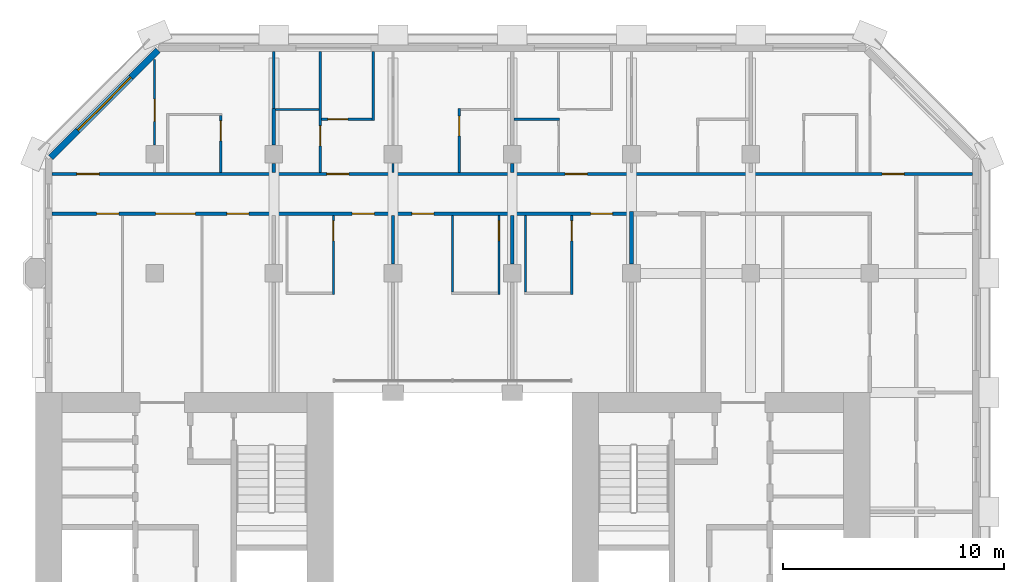
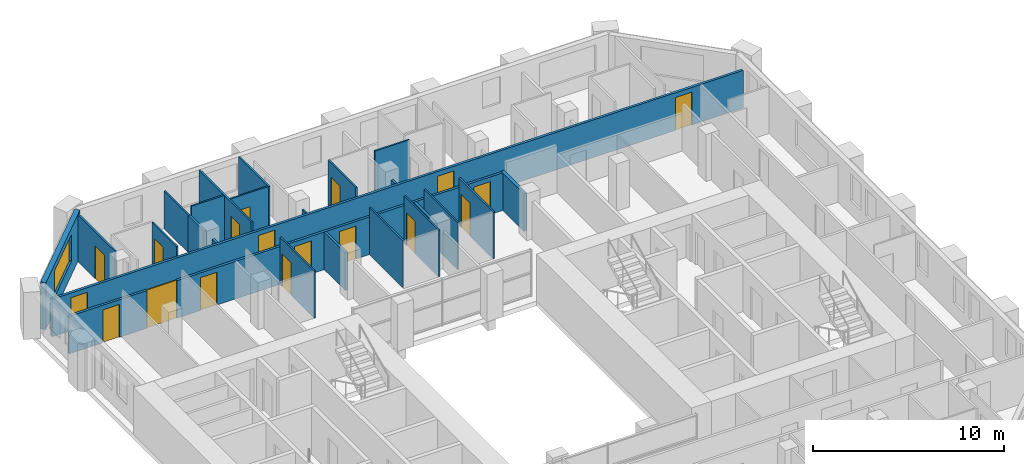
# One storey, part 8 of 13: 24 walls, 18 doors, 1 window, 19 openings.
"""IFC4 building model written with IfcOpenShell, lengths in metres."""

import ifcopenshell
import ifcopenshell.guid

model = None  # the IFC model being written
_history = None  # IfcOwnerHistory: only IFC2X3 demands one
_inside = {}  # id of a spatial element -> (the spatial element, [elements in it])
_under = {}  # id of a project, library or spatial element -> (it, [spatial elements below it])
_declared = {}  # id of a project -> (the project, [libraries it declares])
_typed = {}  # id of a type object -> (the type object, [elements of that type])
_made_of = {}  # id of a material, layer set ... -> (it, [elements and type objects made of it])


def new_model(schema):
    """Start an empty IFC model of exactly this schema.

    Asked for "IFC4X3", IfcOpenShell would pick the latest addendum, in which some entities
    have other attributes; the version numbers below select the first issue.
    IFC2X3 requires an IfcOwnerHistory on every rooted entity: one is made here for all.
    """
    global model, _history
    if schema == "IFC4X3":
        model = ifcopenshell.file(schema_version=(4, 3, 0, 0))
    else:
        model = ifcopenshell.file(schema=schema)
    _inside.clear()
    _under.clear()
    _declared.clear()
    _typed.clear()
    _made_of.clear()
    _history = None
    if model.schema == "IFC2X3":
        org = make("IfcOrganization", Name="unknown")
        user = make(
            "IfcPersonAndOrganization",
            ThePerson=make("IfcPerson", FamilyName="unknown"),
            TheOrganization=org,
        )
        app = make(
            "IfcApplication",
            ApplicationDeveloper=org,
            Version="unknown",
            ApplicationFullName="unknown",
            ApplicationIdentifier="unknown",
        )
        _history = make(
            "IfcOwnerHistory",
            OwningUser=user,
            OwningApplication=app,
            ChangeAction="ADDED",
            CreationDate=0,
        )
    return model


def make(cls, **values):
    """One entity of the class cls with the attributes given. An attribute that is None is left unset."""
    return model.create_entity(
        cls, **{name: value for name, value in values.items() if value is not None}
    )


def rooted(cls, **values):
    """An entity with a GlobalId (a new one), such as an element, a storey or a relation."""
    return make(cls, GlobalId=ifcopenshell.guid.new(), OwnerHistory=_history, **values)


def si_unit(unit_type, name, prefix=None):
    """IfcSIUnit, for example si_unit("LENGTHUNIT", "METRE", prefix="MILLI")."""
    return make("IfcSIUnit", UnitType=unit_type, Prefix=prefix, Name=name)


def assignment(units):
    """IfcUnitAssignment: the units of a project."""
    return None if units is None else make("IfcUnitAssignment", Units=units)


def point(xyz):
    """IfcCartesianPoint."""
    return None if xyz is None else make("IfcCartesianPoint", Coordinates=xyz)


def direction(xyz):
    """IfcDirection."""
    return None if xyz is None else make("IfcDirection", DirectionRatios=xyz)


def frame(location, z_axis=None, x_axis=None):
    """IfcAxis2Placement3D, a coordinate frame: its origin and axes. An axis left out is left unset."""
    return make(
        "IfcAxis2Placement3D",
        Location=point(location),
        Axis=direction(z_axis),
        RefDirection=direction(x_axis),
    )


def frame_2d(location, x_axis=None):
    """IfcAxis2Placement2D, a coordinate frame in the plane: its origin and x axis."""
    return make(
        "IfcAxis2Placement2D", Location=point(location), RefDirection=direction(x_axis)
    )


def origin():
    """The frame at (0, 0, 0) with its axes left unset."""
    return frame((0.0, 0.0, 0.0))


def place(relative_to, where):
    """IfcLocalPlacement: puts the frame where relative to a parent placement (None: the world)."""
    return make(
        "IfcLocalPlacement", PlacementRelTo=relative_to, RelativePlacement=where
    )


def context(
    kind, dimensions, precision=None, world=None, true_north=None, identifier=None
):
    """IfcGeometricRepresentationContext, for example the 3D "Model" context."""
    return make(
        "IfcGeometricRepresentationContext",
        ContextIdentifier=identifier,
        ContextType=kind,
        CoordinateSpaceDimension=dimensions,
        Precision=precision,
        WorldCoordinateSystem=world,
        TrueNorth=true_north,
    )


def subcontext(parent, identifier, kind, view, scale=None):
    """IfcGeometricRepresentationSubContext, for example "Body" below "Model"."""
    return make(
        "IfcGeometricRepresentationSubContext",
        ContextIdentifier=identifier,
        ContextType=kind,
        ParentContext=parent,
        TargetScale=scale,
        TargetView=view,
    )


def project(units=None, contexts=None):
    """IfcProject with its units and contexts."""
    return rooted(
        "IfcProject",
        Name="project",
        RepresentationContexts=contexts,
        UnitsInContext=assignment(units),
    )


def spatial(cls, under=None, at=None, **own):
    """A site, building, storey or space (cls), placed at a placement, below another one or the project."""
    s = rooted(cls, ObjectPlacement=at, **own)
    if under is not None:
        _under.setdefault(under.id(), (under, []))[1].append(s)
    return s


def profile(cls, at=None, kind="AREA", **sizes):
    """A parametric profile (cls). Its sizes go by their IFC names, for example OverallWidth=200.0."""
    return make(cls, ProfileType=kind, Position=at, **sizes)


def rectangle(**sizes):
    """IfcRectangleProfileDef."""
    return profile("IfcRectangleProfileDef", **sizes)


def extrude(swept, where, along, depth):
    """IfcExtrudedAreaSolid: the profile swept, set in the frame where, extruded along a direction by depth."""
    return make(
        "IfcExtrudedAreaSolid",
        SweptArea=swept,
        Position=where,
        ExtrudedDirection=direction(along),
        Depth=depth,
    )


def shape(context_of_items, identifier, shape_type, items):
    """IfcShapeRepresentation: the items that make up one representation, for example the "Body"."""
    return make(
        "IfcShapeRepresentation",
        ContextOfItems=context_of_items,
        RepresentationIdentifier=identifier,
        RepresentationType=shape_type,
        Items=items,
    )


def material(Name=None, Category=None):
    """IfcMaterial."""
    return make("IfcMaterial", Name=Name, Category=Category)


def layer(
    of_material, thickness, ventilated=None, Name=None, Category=None, Priority=None
):
    """IfcMaterialLayer: one layer of a wall or slab, of a material (None: an air gap)."""
    return make(
        "IfcMaterialLayer",
        Material=of_material,
        LayerThickness=thickness,
        IsVentilated=ventilated,
        Name=Name,
        Category=Category,
        Priority=Priority,
    )


def layer_set(layers, Name=None):
    """IfcMaterialLayerSet."""
    return make("IfcMaterialLayerSet", MaterialLayers=layers, LayerSetName=Name)


def made_of(thing, what):
    """Note that an element or type object is made of a material, layer set ...; save() writes the relation."""
    if what is not None:
        _made_of.setdefault(what.id(), (what, []))[1].append(thing)
    return thing


def type_object(cls, material=None, **own):
    """A type object (cls), such as IfcWallType, which elements share."""
    return made_of(rooted(cls, **own), material)


def element(
    cls,
    number,
    at=None,
    inside=None,
    cuts=None,
    type_object=None,
    material=None,
    context=None,
    identifier="Body",
    shape_type=None,
    held_by="IfcProductDefinitionShape",
    body=None,
    shapes=None,
    **own,
):
    """One element of the class cls, such as IfcWall. Its Tag is "e" and its number.

    at: its placement. inside: the storey or other place that contains it. cuts: it is an
    opening in that element (IfcRelVoidsElement). A single representation is given by context,
    identifier, shape_type and body (its items); several are given by shapes. held_by: the class
    of the entity that holds the representations. save() writes the other relations.
    """
    e = rooted(cls, Tag="e%d" % number, ObjectPlacement=at, **own)
    if body is not None:
        shapes = [shape(context, identifier, shape_type, body)]
    if shapes is not None:
        e.Representation = make(held_by, Representations=shapes)
    if inside is not None:
        _inside.setdefault(inside.id(), (inside, []))[1].append(e)
    if cuts is not None:
        rooted(
            "IfcRelVoidsElement", RelatingBuildingElement=cuts, RelatedOpeningElement=e
        )
    if type_object is not None:
        _typed.setdefault(type_object.id(), (type_object, []))[1].append(e)
    return made_of(e, material)


def fill(opening, filler):
    """IfcRelFillsElement: the door or window that sits in an opening."""
    return rooted(
        "IfcRelFillsElement",
        RelatingOpeningElement=opening,
        RelatedBuildingElement=filler,
    )


def aggregate(whole, parts):
    """IfcRelAggregates: a whole, such as a stair, and the parts it consists of."""
    return rooted("IfcRelAggregates", RelatingObject=whole, RelatedObjects=parts)


def save(model, path):
    """Write the relations noted so far, then the file.

    IfcRelAggregates (storeys below a building ...), IfcRelContainedInSpatialStructure (elements
    in a storey), IfcRelDefinesByType, IfcRelAssociatesMaterial and IfcRelDeclares: one each for
    every whole, place, type object, material and project.
    """
    for whole, parts in _under.values():
        aggregate(whole, parts)
    for where, things in _inside.values():
        rooted(
            "IfcRelContainedInSpatialStructure",
            RelatedElements=things,
            RelatingStructure=where,
        )
    for kind, things in _typed.values():
        rooted("IfcRelDefinesByType", RelatedObjects=things, RelatingType=kind)
    for what, things in _made_of.values():
        rooted("IfcRelAssociatesMaterial", RelatedObjects=things, RelatingMaterial=what)
    for by, libraries in _declared.values():
        rooted("IfcRelDeclares", RelatingContext=by, RelatedDefinitions=libraries)
    model.write(path)


model = new_model("IFC4")

# Units and contexts
model_context = context("Model", 3, precision=1e-05, world=origin(), true_north=direction((0.0, 1.0)))
body_context = subcontext(model_context, "Body", "Model", "MODEL_VIEW")
ifc_project = project(units=[si_unit("LENGTHUNIT", "METRE"), si_unit("AREAUNIT", "SQUARE_METRE"), si_unit("VOLUMEUNIT", "CUBIC_METRE"), si_unit("PLANEANGLEUNIT", "RADIAN"), si_unit("MASSUNIT", "GRAM", prefix="KILO")], contexts=[model_context])

# Site, building, storey
site_placement = place(None, origin())
site = spatial("IfcSite", under=ifc_project, at=site_placement, CompositionType="ELEMENT")
building_placement = place(site_placement, origin())
building = spatial("IfcBuilding", under=site, at=building_placement, Name="Tabaq Tower and Sports Hall", CompositionType="ELEMENT")
storey_placement = place(building_placement, frame((0.0, 0.0, 200.5)))
storey = spatial("IfcBuildingStorey", under=building, at=storey_placement, Name="L49", CompositionType="ELEMENT", Elevation=200.5)

# Wall
ifc_material_1 = material(Name="Blockwork", Category="masonry")
ifc_layer_1 = layer(ifc_material_1, 0.199951171875)
ifc_layer_set_1 = layer_set([ifc_layer_1], Name="Fire compartment wall 200 Blockwork")
wall_type_1 = type_object("IfcWallType", Name="Fire compartment wall 200 Blockwork", PredefinedType="PARTITIONING", material=ifc_layer_set_1)
wall_1_placement = place(storey_placement, frame((32.39990234375, 38.219970703125, 0.0), z_axis=(0.0, 0.0, 1.0), x_axis=(0.0, 1.0, 0.0)))
element("IfcWall", 1, at=wall_1_placement, inside=storey, type_object=wall_type_1, Name="Compartment wall L49", PredefinedType="PARTITIONING", context=body_context, shape_type="SweptSolid", body=[
    extrude(rectangle(XDim=2.380126953125, YDim=0.199951171875, at=frame_2d((1.18994140625, 0.0))), origin(), (0.0, 0.0, 1.0), 2.39990234375),
])

# Wall, opening, door
ifc_material_2 = material(Name="Gypsum board on steel studs", Category="steel")
ifc_layer_2 = layer(ifc_material_2, 0.10009765625)
ifc_layer_set_2 = layer_set([ifc_layer_2], Name="Partition 100 Gypsum board")
wall_type_2 = type_object("IfcWallType", Name="Partition 100 Gypsum board", PredefinedType="PARTITIONING", material=ifc_layer_set_2)
wall_2_placement = place(storey_placement, frame((18.89990234375, 40.425048828125, 0.0), z_axis=(0.0, 0.0, 1.0), x_axis=(0.0, -1.0, 0.0)))
wall_2 = element("IfcWall", 2, at=wall_2_placement, inside=storey, type_object=wall_type_2, Name="Partition wall L49", PredefinedType="PARTITIONING", context=body_context, shape_type="SweptSolid", body=[
    extrude(rectangle(XDim=3.574951171875, YDim=0.10009765625, at=frame_2d((1.78759765625, 0.0))), origin(), (0.0, 0.0, 1.0), 3.0),
])
opening_1_placement = place(wall_2_placement, frame((0.25, 0.0, 0.0)))
opening_1 = element("IfcOpeningElement", 3, at=opening_1_placement, cuts=wall_2, Name="Opening L49-001", PredefinedType="OPENING", context=body_context, shape_type="SweptSolid", body=[
    extrude(rectangle(XDim=0.89990234375, YDim=2.10009765625, at=frame_2d((0.449951171875, 1.050048828125))), frame((0.0, 0.050048828125, 0.0), z_axis=(0.0, -1.0, 0.0), x_axis=(1.0, 0.0, 0.0)), (0.0, 0.0, 1.0), 0.10009765625),
])
ifc_material_3 = material(Name="Timber leaf in steel frame", Category="steel")
door_type_1 = type_object("IfcDoorType", Name="Internal door 900 left hand", OperationType="SINGLE_SWING_LEFT", PredefinedType="DOOR", material=ifc_material_3)
door_1_placement = place(opening_1_placement, origin())
door_1 = element("IfcDoor", 4, at=door_1_placement, inside=storey, type_object=door_type_1, Name="Internal door L49-001", OperationType="SINGLE_SWING_LEFT", OverallHeight=2.10009765625, OverallWidth=0.89990234375, PredefinedType="DOOR", context=body_context, shape_type="SweptSolid", body=[
    extrude(rectangle(XDim=0.89990234375, YDim=2.10009765625, at=frame_2d((0.449951171875, 1.050048828125))), frame((0.0, 0.02490234375, 0.0), z_axis=(0.0, -1.0, 0.0), x_axis=(1.0, 0.0, 0.0)), (0.0, 0.0, 1.0), 0.050048828125),
])
fill(opening_1, door_1)

wall_3_placement = place(storey_placement, frame((26.39990234375, 40.425048828125, 0.0), z_axis=(0.0, 0.0, 1.0), x_axis=(0.0, -1.0, 0.0)))
wall_3 = element("IfcWall", 5, at=wall_3_placement, inside=storey, type_object=wall_type_2, Name="Partition wall L49", PredefinedType="PARTITIONING", context=body_context, shape_type="SweptSolid", body=[
    extrude(rectangle(XDim=3.574951171875, YDim=0.10009765625, at=frame_2d((1.78759765625, 0.0))), origin(), (0.0, 0.0, 1.0), 3.0),
])
opening_2_placement = place(wall_3_placement, frame((0.25, 0.0, 0.0)))
opening_2 = element("IfcOpeningElement", 6, at=opening_2_placement, cuts=wall_3, Name="Opening L49-002", PredefinedType="OPENING", context=body_context, shape_type="SweptSolid", body=[
    extrude(rectangle(XDim=0.89990234375, YDim=2.10009765625, at=frame_2d((0.449951171875, 1.050048828125))), frame((0.0, 0.050048828125, 0.0), z_axis=(0.0, -1.0, 0.0), x_axis=(1.0, 0.0, 0.0)), (0.0, 0.0, 1.0), 0.10009765625),
])
door_2_placement = place(opening_2_placement, origin())
door_2 = element("IfcDoor", 7, at=door_2_placement, inside=storey, type_object=door_type_1, Name="Internal door L49-002", OperationType="SINGLE_SWING_LEFT", OverallHeight=2.10009765625, OverallWidth=0.89990234375, PredefinedType="DOOR", context=body_context, shape_type="SweptSolid", body=[
    extrude(rectangle(XDim=0.89990234375, YDim=2.10009765625, at=frame_2d((0.449951171875, 1.050048828125))), frame((0.0, 0.02490234375, 0.0), z_axis=(0.0, -1.0, 0.0), x_axis=(1.0, 0.0, 0.0)), (0.0, 0.0, 1.0), 0.050048828125),
])
fill(opening_2, door_2)

# Wall
wall_4_placement = place(storey_placement, frame((24.300048828125, 36.949951171875, 0.0), z_axis=(0.0, 0.0, 1.0), x_axis=(0.0, 1.0, 0.0)))
element("IfcWall", 8, at=wall_4_placement, inside=storey, type_object=wall_type_2, Name="Partition wall L49", PredefinedType="PARTITIONING", context=body_context, shape_type="SweptSolid", body=[
    extrude(rectangle(XDim=3.47509765625, YDim=0.10009765625, at=frame_2d((1.737548828125, 0.0))), origin(), (0.0, 0.0, 1.0), 3.0),
])

# Wall, opening, door
wall_5_placement = place(storey_placement, frame((29.699951171875, 40.425048828125, 0.0), z_axis=(0.0, 0.0, 1.0), x_axis=(0.0, -1.0, 0.0)))
wall_5 = element("IfcWall", 9, at=wall_5_placement, inside=storey, type_object=wall_type_2, Name="Partition wall L49", PredefinedType="PARTITIONING", context=body_context, shape_type="SweptSolid", body=[
    extrude(rectangle(XDim=3.574951171875, YDim=0.10009765625, at=frame_2d((1.78759765625, 0.0))), origin(), (0.0, 0.0, 1.0), 3.0),
])
opening_3_placement = place(wall_5_placement, frame((0.25, 0.0, 0.0)))
opening_3 = element("IfcOpeningElement", 10, at=opening_3_placement, cuts=wall_5, Name="Opening L49-003", PredefinedType="OPENING", context=body_context, shape_type="SweptSolid", body=[
    extrude(rectangle(XDim=0.89990234375, YDim=2.10009765625, at=frame_2d((0.449951171875, 1.050048828125))), frame((0.0, 0.050048828125, 0.0), z_axis=(0.0, -1.0, 0.0), x_axis=(1.0, 0.0, 0.0)), (0.0, 0.0, 1.0), 0.10009765625),
])
ifc_material_4 = material(Name="Timber leaf in steel frame", Category="steel")
door_type_2 = type_object("IfcDoorType", Name="Internal door 900 right hand", OperationType="SINGLE_SWING_RIGHT", PredefinedType="DOOR", material=ifc_material_4)
door_3_placement = place(opening_3_placement, origin())
door_3 = element("IfcDoor", 11, at=door_3_placement, inside=storey, type_object=door_type_2, Name="Internal door L49-003", OperationType="SINGLE_SWING_RIGHT", OverallHeight=2.10009765625, OverallWidth=0.89990234375, PredefinedType="DOOR", context=body_context, shape_type="SweptSolid", body=[
    extrude(rectangle(XDim=0.89990234375, YDim=2.10009765625, at=frame_2d((0.449951171875, 1.050048828125))), frame((0.0, 0.02490234375, 0.0), z_axis=(0.0, -1.0, 0.0), x_axis=(1.0, 0.0, 0.0)), (0.0, 0.0, 1.0), 0.050048828125),
])
fill(opening_3, door_3)

# Wall
wall_6_placement = place(storey_placement, frame((27.60009765625, 36.949951171875, 0.0), z_axis=(0.0, 0.0, 1.0), x_axis=(0.0, 1.0, 0.0)))
element("IfcWall", 12, at=wall_6_placement, inside=storey, type_object=wall_type_2, Name="Partition wall L49", PredefinedType="PARTITIONING", context=body_context, shape_type="SweptSolid", body=[
    extrude(rectangle(XDim=3.47509765625, YDim=0.10009765625, at=frame_2d((1.737548828125, 0.0))), origin(), (0.0, 0.0, 1.0), 3.0),
])

# Wall, opening, door
wall_7_placement = place(storey_placement, frame((10.800048828125, 47.48779296875, 0.0), z_axis=(0.0, 0.0, 1.0), x_axis=(0.0, -1.0, 0.0)))
wall_7 = element("IfcWall", 13, at=wall_7_placement, inside=storey, type_object=wall_type_2, Name="Partition wall L49", PredefinedType="PARTITIONING", context=body_context, shape_type="SweptSolid", body=[
    extrude(rectangle(XDim=3.86767578125, YDim=0.10009765625, at=frame_2d((1.933837890625, 0.0))), origin(), (0.0, 0.0, 1.0), 3.0),
])
opening_4_placement = place(wall_7_placement, frame((1.80029296875, 0.0, 0.0)))
opening_4 = element("IfcOpeningElement", 14, at=opening_4_placement, cuts=wall_7, Name="Opening L49-035", PredefinedType="OPENING", context=body_context, shape_type="SweptSolid", body=[
    extrude(rectangle(XDim=1.0, YDim=2.10009765625, at=frame_2d((0.5, 1.050048828125))), frame((0.0, 0.050048828125, 0.0), z_axis=(0.0, -1.0, 0.0), x_axis=(1.0, 0.0, 0.0)), (0.0, 0.0, 1.0), 0.10009765625),
])
ifc_material_5 = material(Name="Timber leaf in steel frame", Category="steel")
door_type_3 = type_object("IfcDoorType", Name="Internal door 1000 left hand", OperationType="SINGLE_SWING_LEFT", PredefinedType="DOOR", material=ifc_material_5)
door_4_placement = place(opening_4_placement, origin())
door_4 = element("IfcDoor", 15, at=door_4_placement, inside=storey, type_object=door_type_3, Name="Internal door L49-035", OperationType="SINGLE_SWING_LEFT", OverallHeight=2.10009765625, OverallWidth=1.0, PredefinedType="DOOR", context=body_context, shape_type="SweptSolid", body=[
    extrude(rectangle(XDim=1.0, YDim=2.10009765625, at=frame_2d((0.5, 1.050048828125))), frame((0.0, 0.02490234375, 0.0), z_axis=(0.0, -1.0, 0.0), x_axis=(1.0, 0.0, 0.0)), (0.0, 0.0, 1.0), 0.050048828125),
])
fill(opening_4, door_4)

wall_8_placement = place(storey_placement, frame((13.800048828125, 44.949951171875, 0.0), z_axis=(0.0, 0.0, 1.0), x_axis=(0.0, -1.0, 0.0)))
wall_8 = element("IfcWall", 16, at=wall_8_placement, inside=storey, type_object=wall_type_2, Name="Partition wall L49", PredefinedType="PARTITIONING", context=body_context, shape_type="SweptSolid", body=[
    extrude(rectangle(XDim=2.574951171875, YDim=0.10009765625, at=frame_2d((1.28759765625, 0.0))), origin(), (0.0, 0.0, 1.0), 3.0),
])
opening_5_placement = place(wall_8_placement, frame((0.25, 0.0, 0.0)))
opening_5 = element("IfcOpeningElement", 17, at=opening_5_placement, cuts=wall_8, Name="Opening L49-005", PredefinedType="OPENING", context=body_context, shape_type="SweptSolid", body=[
    extrude(rectangle(XDim=0.89990234375, YDim=2.10009765625, at=frame_2d((0.449951171875, 1.050048828125))), frame((0.0, 0.050048828125, 0.0), z_axis=(0.0, -1.0, 0.0), x_axis=(1.0, 0.0, 0.0)), (0.0, 0.0, 1.0), 0.10009765625),
])
door_5_placement = place(opening_5_placement, origin())
door_5 = element("IfcDoor", 18, at=door_5_placement, inside=storey, type_object=door_type_1, Name="Internal door L49-005", OperationType="SINGLE_SWING_LEFT", OverallHeight=2.10009765625, OverallWidth=0.89990234375, PredefinedType="DOOR", context=body_context, shape_type="SweptSolid", body=[
    extrude(rectangle(XDim=0.89990234375, YDim=2.10009765625, at=frame_2d((0.449951171875, 1.050048828125))), frame((0.0, 0.02490234375, 0.0), z_axis=(0.0, -1.0, 0.0), x_axis=(1.0, 0.0, 0.0)), (0.0, 0.0, 1.0), 0.050048828125),
])
fill(opening_5, door_5)

# Walls
wall_9_placement = place(storey_placement, frame((16.199951171875, 45.175048828125, 0.0), z_axis=(0.0, 0.0, 1.0), x_axis=(0.0, 1.0, 0.0)))
element("IfcWall", 19, at=wall_9_placement, inside=storey, type_object=wall_type_2, Name="Partition wall L49", PredefinedType="PARTITIONING", context=body_context, shape_type="SweptSolid", body=[
    extrude(rectangle(XDim=2.674072265625, YDim=0.10009765625, at=frame_2d((1.3369140625, 0.0))), origin(), (0.0, 0.0, 1.0), 2.39990234375),
])
wall_10_placement = place(storey_placement, frame((21.60009765625, 42.780029296875, 0.0), z_axis=(0.0, 0.0, 1.0), x_axis=(0.0, -1.0, 0.0)))
element("IfcWall", 20, at=wall_10_placement, inside=storey, type_object=wall_type_2, Name="Partition wall L49", PredefinedType="PARTITIONING", context=body_context, shape_type="SweptSolid", body=[
    extrude(rectangle(XDim=0.405029296875, YDim=0.10009765625, at=frame_2d((0.20263671875, 0.0))), origin(), (0.0, 0.0, 1.0), 2.39990234375),
])

# Wall, opening, door
wall_11_placement = place(storey_placement, frame((24.60009765625, 42.375, 0.0), z_axis=(0.0, 0.0, 1.0), x_axis=(0.0, 1.0, 0.0)))
wall_11 = element("IfcWall", 21, at=wall_11_placement, inside=storey, type_object=wall_type_2, Name="Partition wall L49", PredefinedType="PARTITIONING", context=body_context, shape_type="SweptSolid", body=[
    extrude(rectangle(XDim=2.89990234375, YDim=0.10009765625, at=frame_2d((1.449951171875, 0.0))), origin(), (0.0, 0.0, 1.0), 3.0),
])
opening_6_placement = place(wall_11_placement, frame((1.64990234375, 0.0, 0.0)))
opening_6 = element("IfcOpeningElement", 22, at=opening_6_placement, cuts=wall_11, Name="Opening L49-006", PredefinedType="OPENING", context=body_context, shape_type="SweptSolid", body=[
    extrude(rectangle(XDim=0.89990234375, YDim=2.10009765625, at=frame_2d((0.449951171875, 1.050048828125))), frame((0.0, 0.050048828125, 0.0), z_axis=(0.0, -1.0, 0.0), x_axis=(1.0, 0.0, 0.0)), (0.0, 0.0, 1.0), 0.10009765625),
])
door_6_placement = place(opening_6_placement, origin())
door_6 = element("IfcDoor", 23, at=door_6_placement, inside=storey, type_object=door_type_2, Name="Internal door L49-006", OperationType="SINGLE_SWING_RIGHT", OverallHeight=2.10009765625, OverallWidth=0.89990234375, PredefinedType="DOOR", context=body_context, shape_type="SweptSolid", body=[
    extrude(rectangle(XDim=0.89990234375, YDim=2.10009765625, at=frame_2d((0.449951171875, 1.050048828125))), frame((0.0, 0.02490234375, 0.0), z_axis=(0.0, -1.0, 0.0), x_axis=(1.0, 0.0, 0.0)), (0.0, 0.0, 1.0), 0.050048828125),
])
fill(opening_6, door_6)

# Walls
wall_12_placement = place(storey_placement, frame((18.25, 45.22509765625, 0.0), z_axis=(0.0, 0.0, 1.0), x_axis=(-1.0, 0.0, 0.0)))
element("IfcWall", 24, at=wall_12_placement, inside=storey, type_object=wall_type_2, Name="Partition wall L49", PredefinedType="PARTITIONING", context=body_context, shape_type="SweptSolid", body=[
    extrude(rectangle(XDim=1.97509765625, YDim=0.10009765625, at=frame_2d((0.987548828125, 0.0))), origin(), (0.0, 0.0, 1.0), 3.0),
])
wall_13_placement = place(storey_placement, frame((20.699951171875, 47.84912109375, 0.0), z_axis=(0.0, 0.0, 1.0), x_axis=(0.0, -1.0, 0.0)))
element("IfcWall", 25, at=wall_13_placement, inside=storey, type_object=wall_type_2, Name="Partition wall L49", PredefinedType="PARTITIONING", context=body_context, shape_type="SweptSolid", body=[
    extrude(rectangle(XDim=3.1240234375, YDim=0.10009765625, at=frame_2d((1.56201171875, 0.0))), origin(), (0.0, 0.0, 1.0), 3.0),
])

# Wall, opening, door
wall_14_placement = place(storey_placement, frame((20.64990234375, 44.77490234375, 0.0), z_axis=(0.0, 0.0, 1.0), x_axis=(-1.0, 0.0, 0.0)))
wall_14 = element("IfcWall", 26, at=wall_14_placement, inside=storey, type_object=wall_type_2, Name="Partition wall L49", PredefinedType="PARTITIONING", context=body_context, shape_type="SweptSolid", body=[
    extrude(rectangle(XDim=2.2998046875, YDim=0.10009765625, at=frame_2d((1.14990234375, 0.0))), origin(), (0.0, 0.0, 1.0), 3.0),
])
opening_7_placement = place(wall_14_placement, frame((1.10009765625, 0.0, 0.0)))
opening_7 = element("IfcOpeningElement", 27, at=opening_7_placement, cuts=wall_14, Name="Opening L49-008", PredefinedType="OPENING", context=body_context, shape_type="SweptSolid", body=[
    extrude(rectangle(XDim=0.89990234375, YDim=2.10009765625, at=frame_2d((0.449951171875, 1.050048828125))), frame((0.0, 0.050048828125, 0.0), z_axis=(0.0, -1.0, 0.0), x_axis=(1.0, 0.0, 0.0)), (0.0, 0.0, 1.0), 0.10009765625),
])
door_7_placement = place(opening_7_placement, origin())
door_7 = element("IfcDoor", 28, at=door_7_placement, inside=storey, type_object=door_type_2, Name="Internal door L49-008", OperationType="SINGLE_SWING_RIGHT", OverallHeight=2.10009765625, OverallWidth=0.89990234375, PredefinedType="DOOR", context=body_context, shape_type="SweptSolid", body=[
    extrude(rectangle(XDim=0.89990234375, YDim=2.10009765625, at=frame_2d((0.449951171875, 1.050048828125))), frame((0.0, 0.02490234375, 0.0), z_axis=(0.0, -1.0, 0.0), x_axis=(1.0, 0.0, 0.0)), (0.0, 0.0, 1.0), 0.050048828125),
])
fill(opening_7, door_7)

wall_15_placement = place(storey_placement, frame((18.300048828125, 42.375, 0.0), z_axis=(0.0, 0.0, 1.0), x_axis=(0.0, 1.0, 0.0)))
wall_15 = element("IfcWall", 29, at=wall_15_placement, inside=storey, type_object=wall_type_2, Name="Partition wall L49", PredefinedType="PARTITIONING", context=body_context, shape_type="SweptSolid", body=[
    extrude(rectangle(XDim=5.47412109375, YDim=0.10009765625, at=frame_2d((2.737060546875, 0.0))), origin(), (0.0, 0.0, 1.0), 3.0),
])
opening_8_placement = place(wall_15_placement, frame((1.199951171875, 0.0, 0.0)))
opening_8 = element("IfcOpeningElement", 30, at=opening_8_placement, cuts=wall_15, Name="Opening L49-007", PredefinedType="OPENING", context=body_context, shape_type="SweptSolid", body=[
    extrude(rectangle(XDim=0.89990234375, YDim=2.10009765625, at=frame_2d((0.449951171875, 1.050048828125))), frame((0.0, 0.050048828125, 0.0), z_axis=(0.0, -1.0, 0.0), x_axis=(1.0, 0.0, 0.0)), (0.0, 0.0, 1.0), 0.10009765625),
])
door_8_placement = place(opening_8_placement, origin())
door_8 = element("IfcDoor", 31, at=door_8_placement, inside=storey, type_object=door_type_1, Name="Internal door L49-007", OperationType="SINGLE_SWING_LEFT", OverallHeight=2.10009765625, OverallWidth=0.89990234375, PredefinedType="DOOR", context=body_context, shape_type="SweptSolid", body=[
    extrude(rectangle(XDim=0.89990234375, YDim=2.10009765625, at=frame_2d((0.449951171875, 1.050048828125))), frame((0.0, 0.02490234375, 0.0), z_axis=(0.0, -1.0, 0.0), x_axis=(1.0, 0.0, 0.0)), (0.0, 0.0, 1.0), 0.050048828125),
])
fill(opening_8, door_8)

# Walls
wall_16_placement = place(storey_placement, frame((29.14990234375, 44.77490234375, 0.0), z_axis=(0.0, 0.0, 1.0), x_axis=(-1.0, 0.0, 0.0)))
element("IfcWall", 32, at=wall_16_placement, inside=storey, type_object=wall_type_2, Name="Partition wall L49", PredefinedType="PARTITIONING", context=body_context, shape_type="SweptSolid", body=[
    extrude(rectangle(XDim=2.074951171875, YDim=0.10009765625, at=frame_2d((1.03759765625, 0.0))), origin(), (0.0, 0.0, 1.0), 3.0),
])
ifc_material_6 = material(Name="Blockwork", Category="masonry")
ifc_layer_3 = layer(ifc_material_6, 0.14990234375)
ifc_layer_set_3 = layer_set([ifc_layer_3], Name="Separating wall 150 Blockwork")
wall_type_3 = type_object("IfcWallType", Name="Separating wall 150 Blockwork", PredefinedType="PARTITIONING", material=ifc_layer_set_3)
for number, where, z_axis, x_axis, name in (
    (33, (21.60009765625, 38.219970703125, 0.0), (0.0, 0.0, 1.0), (0.0, 1.0, 0.0), "Separating wall L49"),
    (34, (27.0, 38.219970703125, 0.0), (0.0, 0.0, 1.0), (0.0, 1.0, 0.0), "Separating wall L49"),
):
    element("IfcWall", number, at=place(storey_placement, frame(where, z_axis=z_axis, x_axis=x_axis)), inside=storey, type_object=wall_type_3, Name=name, PredefinedType="PARTITIONING", context=body_context, shape_type="SweptSolid", body=[
        extrude(rectangle(XDim=2.205078125, YDim=0.14990234375, at=frame_2d((1.1025390625, 0.0))), origin(), (0.0, 0.0, 1.0), 2.39990234375),
    ])
wall_17_placement = place(storey_placement, frame((16.199951171875, 42.375, 0.0), z_axis=(0.0, 0.0, 1.0), x_axis=(0.0, 1.0, 0.0)))
element("IfcWall", 35, at=wall_17_placement, inside=storey, type_object=wall_type_3, Name="Separating wall L49", PredefinedType="PARTITIONING", context=body_context, shape_type="SweptSolid", body=[
    extrude(rectangle(XDim=0.405029296875, YDim=0.14990234375, at=frame_2d((0.20263671875, 0.0))), origin(), (0.0, 0.0, 1.0), 2.39990234375),
])
wall_18_placement = place(storey_placement, frame((16.199951171875, 43.6201171875, 0.0), z_axis=(0.0, 0.0, 1.0), x_axis=(0.0, 1.0, 0.0)))
element("IfcWall", 36, at=wall_18_placement, inside=storey, type_object=wall_type_3, Name="Separating wall L49", PredefinedType="PARTITIONING", context=body_context, shape_type="SweptSolid", body=[
    extrude(rectangle(XDim=1.65478515625, YDim=0.14990234375, at=frame_2d((0.827392578125, 0.0))), origin(), (0.0, 0.0, 1.0), 2.39990234375),
])
wall_19_placement = place(storey_placement, frame((27.0, 42.375, 0.0), z_axis=(0.0, 0.0, 1.0), x_axis=(0.0, 1.0, 0.0)))
element("IfcWall", 37, at=wall_19_placement, inside=storey, type_object=wall_type_3, Name="Separating wall L49", PredefinedType="PARTITIONING", context=body_context, shape_type="SweptSolid", body=[
    extrude(rectangle(XDim=0.405029296875, YDim=0.14990234375, at=frame_2d((0.20263671875, 0.0))), origin(), (0.0, 0.0, 1.0), 2.39990234375),
])

# Wall, openings, doors
wall_20_placement = place(storey_placement, frame((47.84912109375, 42.300048828125, 0.0), z_axis=(0.0, 0.0, 1.0), x_axis=(-1.0, 0.0, 0.0)))
wall_20 = element("IfcWall", 38, at=wall_20_placement, inside=storey, type_object=wall_type_3, Name="Separating wall L49", PredefinedType="PARTITIONING", context=body_context, shape_type="SweptSolid", body=[
    extrude(rectangle(XDim=41.6982421875, YDim=0.14990234375, at=frame_2d((20.84912109375, 0.0))), origin(), (0.0, 0.0, 1.0), 2.39990234375),
])
opening_9_placement = place(wall_20_placement, frame((39.56591796875, 0.0, 0.0)))
opening_9 = element("IfcOpeningElement", 39, at=opening_9_placement, cuts=wall_20, Name="Opening L49-036", PredefinedType="OPENING", context=body_context, shape_type="SweptSolid", body=[
    extrude(rectangle(XDim=1.0, YDim=2.10009765625, at=frame_2d((0.5, 1.050048828125))), frame((0.0, 0.074951171875, 0.0), z_axis=(0.0, -1.0, 0.0), x_axis=(1.0, 0.0, 0.0)), (0.0, 0.0, 1.0), 0.14990234375),
])
opening_10_placement = place(wall_20_placement, frame((3.09912109375, 0.0, 0.0)))
opening_10 = element("IfcOpeningElement", 40, at=opening_10_placement, cuts=wall_20, Name="Opening L49-040", PredefinedType="OPENING", context=body_context, shape_type="SweptSolid", body=[
    extrude(rectangle(XDim=1.0, YDim=2.10009765625, at=frame_2d((0.5, 1.050048828125))), frame((0.0, 0.074951171875, 0.0), z_axis=(0.0, -1.0, 0.0), x_axis=(1.0, 0.0, 0.0)), (0.0, 0.0, 1.0), 0.14990234375),
])
opening_11_placement = place(wall_20_placement, frame((28.2490234375, 0.0, 0.0)))
opening_11 = element("IfcOpeningElement", 41, at=opening_11_placement, cuts=wall_20, Name="Opening L49-054", PredefinedType="OPENING", context=body_context, shape_type="SweptSolid", body=[
    extrude(rectangle(XDim=1.0, YDim=2.10009765625, at=frame_2d((0.5, 1.050048828125))), frame((0.0, 0.074951171875, 0.0), z_axis=(0.0, -1.0, 0.0), x_axis=(1.0, 0.0, 0.0)), (0.0, 0.0, 1.0), 0.14990234375),
])
opening_12_placement = place(wall_20_placement, frame((17.448974609375, 0.0, 0.0)))
opening_12 = element("IfcOpeningElement", 42, at=opening_12_placement, cuts=wall_20, Name="Opening L49-055", PredefinedType="OPENING", context=body_context, shape_type="SweptSolid", body=[
    extrude(rectangle(XDim=1.0, YDim=2.10009765625, at=frame_2d((0.5, 1.050048828125))), frame((0.0, 0.074951171875, 0.0), z_axis=(0.0, -1.0, 0.0), x_axis=(1.0, 0.0, 0.0)), (0.0, 0.0, 1.0), 0.14990234375),
])
ifc_material_7 = material(Name="Steel fire door", Category="steel")
door_type_4 = type_object("IfcDoorType", Name="Entrance door 1000 left hand", OperationType="SINGLE_SWING_LEFT", PredefinedType="DOOR", material=ifc_material_7)
door_9_placement = place(opening_11_placement, origin())
door_9 = element("IfcDoor", 43, at=door_9_placement, inside=storey, type_object=door_type_4, Name="Entrance door L49-054", OperationType="SINGLE_SWING_LEFT", OverallHeight=2.10009765625, OverallWidth=1.0, PredefinedType="DOOR", context=body_context, shape_type="SweptSolid", body=[
    extrude(rectangle(XDim=1.0, YDim=2.10009765625, at=frame_2d((0.5, 1.050048828125))), frame((0.0, 0.02490234375, 0.0), z_axis=(0.0, -1.0, 0.0), x_axis=(1.0, 0.0, 0.0)), (0.0, 0.0, 1.0), 0.050048828125),
])
fill(opening_11, door_9)
door_10_placement = place(opening_12_placement, origin())
door_10 = element("IfcDoor", 44, at=door_10_placement, inside=storey, type_object=door_type_4, Name="Entrance door L49-055", OperationType="SINGLE_SWING_LEFT", OverallHeight=2.10009765625, OverallWidth=1.0, PredefinedType="DOOR", context=body_context, shape_type="SweptSolid", body=[
    extrude(rectangle(XDim=1.0, YDim=2.10009765625, at=frame_2d((0.5, 1.050048828125))), frame((0.0, 0.02490234375, 0.0), z_axis=(0.0, -1.0, 0.0), x_axis=(1.0, 0.0, 0.0)), (0.0, 0.0, 1.0), 0.050048828125),
])
fill(opening_12, door_10)
ifc_material_8 = material(Name="Steel fire door", Category="steel")
door_type_5 = type_object("IfcDoorType", Name="Entrance door 1000 right hand", OperationType="SINGLE_SWING_RIGHT", PredefinedType="DOOR", material=ifc_material_8)
door_11_placement = place(opening_9_placement, origin())
door_11 = element("IfcDoor", 45, at=door_11_placement, inside=storey, type_object=door_type_5, Name="Entrance door L49-036", OperationType="SINGLE_SWING_RIGHT", OverallHeight=2.10009765625, OverallWidth=1.0, PredefinedType="DOOR", context=body_context, shape_type="SweptSolid", body=[
    extrude(rectangle(XDim=1.0, YDim=2.10009765625, at=frame_2d((0.5, 1.050048828125))), frame((0.0, 0.02490234375, 0.0), z_axis=(0.0, -1.0, 0.0), x_axis=(1.0, 0.0, 0.0)), (0.0, 0.0, 1.0), 0.050048828125),
])
fill(opening_9, door_11)
door_12_placement = place(opening_10_placement, origin())
door_12 = element("IfcDoor", 46, at=door_12_placement, inside=storey, type_object=door_type_5, Name="Entrance door L49-040", OperationType="SINGLE_SWING_RIGHT", OverallHeight=2.10009765625, OverallWidth=1.0, PredefinedType="DOOR", context=body_context, shape_type="SweptSolid", body=[
    extrude(rectangle(XDim=1.0, YDim=2.10009765625, at=frame_2d((0.5, 1.050048828125))), frame((0.0, 0.02490234375, 0.0), z_axis=(0.0, -1.0, 0.0), x_axis=(1.0, 0.0, 0.0)), (0.0, 0.0, 1.0), 0.050048828125),
])
fill(opening_10, door_12)

wall_21_placement = place(storey_placement, frame((32.300048828125, 40.5, 0.0), z_axis=(0.0, 0.0, 1.0), x_axis=(-1.0, 0.0, 0.0)))
wall_21 = element("IfcWall", 47, at=wall_21_placement, inside=storey, type_object=wall_type_3, Name="Separating wall L49", PredefinedType="PARTITIONING", context=body_context, shape_type="SweptSolid", body=[
    extrude(rectangle(XDim=26.149169921875, YDim=0.14990234375, at=frame_2d((13.07470703125, 0.0))), origin(), (0.0, 0.0, 1.0), 2.39990234375),
])
opening_13_placement = place(wall_21_placement, frame((23.1201171875, 0.0, 0.0)))
opening_13 = element("IfcOpeningElement", 48, at=opening_13_placement, cuts=wall_21, Name="Opening L49-014", PredefinedType="OPENING", context=body_context, shape_type="SweptSolid", body=[
    extrude(rectangle(XDim=1.0, YDim=2.10009765625, at=frame_2d((0.5, 1.050048828125))), frame((0.0, 0.074951171875, 0.0), z_axis=(0.0, -1.0, 0.0), x_axis=(1.0, 0.0, 0.0)), (0.0, 0.0, 1.0), 0.14990234375),
])
opening_14_placement = place(wall_21_placement, frame((17.22509765625, 0.0, 0.0)))
opening_14 = element("IfcOpeningElement", 49, at=opening_14_placement, cuts=wall_21, Name="Opening L49-017", PredefinedType="OPENING", context=body_context, shape_type="SweptSolid", body=[
    extrude(rectangle(XDim=1.0, YDim=2.10009765625, at=frame_2d((0.5, 1.050048828125))), frame((0.0, 0.074951171875, 0.0), z_axis=(0.0, -1.0, 0.0), x_axis=(1.0, 0.0, 0.0)), (0.0, 0.0, 1.0), 0.14990234375),
])
opening_15_placement = place(wall_21_placement, frame((11.550048828125, 0.0, 0.0)))
opening_15 = element("IfcOpeningElement", 50, at=opening_15_placement, cuts=wall_21, Name="Opening L49-031", PredefinedType="OPENING", context=body_context, shape_type="SweptSolid", body=[
    extrude(rectangle(XDim=1.0, YDim=2.10009765625, at=frame_2d((0.5, 1.050048828125))), frame((0.0, 0.074951171875, 0.0), z_axis=(0.0, -1.0, 0.0), x_axis=(1.0, 0.0, 0.0)), (0.0, 0.0, 1.0), 0.14990234375),
])
opening_16_placement = place(wall_21_placement, frame((8.85009765625, 0.0, 0.0)))
opening_16 = element("IfcOpeningElement", 51, at=opening_16_placement, cuts=wall_21, Name="Opening L49-032", PredefinedType="OPENING", context=body_context, shape_type="SweptSolid", body=[
    extrude(rectangle(XDim=1.0, YDim=2.10009765625, at=frame_2d((0.5, 1.050048828125))), frame((0.0, 0.074951171875, 0.0), z_axis=(0.0, -1.0, 0.0), x_axis=(1.0, 0.0, 0.0)), (0.0, 0.0, 1.0), 0.14990234375),
])
opening_17_placement = place(wall_21_placement, frame((0.75, 0.0, 0.0)))
opening_17 = element("IfcOpeningElement", 52, at=opening_17_placement, cuts=wall_21, Name="Opening L49-033", PredefinedType="OPENING", context=body_context, shape_type="SweptSolid", body=[
    extrude(rectangle(XDim=1.0, YDim=2.10009765625, at=frame_2d((0.5, 1.050048828125))), frame((0.0, 0.074951171875, 0.0), z_axis=(0.0, -1.0, 0.0), x_axis=(1.0, 0.0, 0.0)), (0.0, 0.0, 1.0), 0.14990234375),
])
opening_18_placement = place(wall_21_placement, frame((19.64990234375, 0.0, 0.0)))
opening_18 = element("IfcOpeningElement", 53, at=opening_18_placement, cuts=wall_21, Name="Opening L49-041", PredefinedType="OPENING", context=body_context, shape_type="SweptSolid", body=[
    extrude(rectangle(XDim=1.800048828125, YDim=2.39990234375, at=frame_2d((0.89990234375, 1.199951171875))), frame((0.0, 0.074951171875, 0.0), z_axis=(0.0, -1.0, 0.0), x_axis=(1.0, 0.0, 0.0)), (0.0, 0.0, 1.0), 0.14990234375),
])
door_13_placement = place(opening_15_placement, origin())
door_13 = element("IfcDoor", 54, at=door_13_placement, inside=storey, type_object=door_type_4, Name="Entrance door L49-031", OperationType="SINGLE_SWING_LEFT", OverallHeight=2.10009765625, OverallWidth=1.0, PredefinedType="DOOR", context=body_context, shape_type="SweptSolid", body=[
    extrude(rectangle(XDim=1.0, YDim=2.10009765625, at=frame_2d((0.5, 1.050048828125))), frame((0.0, 0.02490234375, 0.0), z_axis=(0.0, -1.0, 0.0), x_axis=(1.0, 0.0, 0.0)), (0.0, 0.0, 1.0), 0.050048828125),
])
fill(opening_15, door_13)
door_14_placement = place(opening_17_placement, origin())
door_14 = element("IfcDoor", 55, at=door_14_placement, inside=storey, type_object=door_type_4, Name="Entrance door L49-033", OperationType="SINGLE_SWING_LEFT", OverallHeight=2.10009765625, OverallWidth=1.0, PredefinedType="DOOR", context=body_context, shape_type="SweptSolid", body=[
    extrude(rectangle(XDim=1.0, YDim=2.10009765625, at=frame_2d((0.5, 1.050048828125))), frame((0.0, 0.02490234375, 0.0), z_axis=(0.0, -1.0, 0.0), x_axis=(1.0, 0.0, 0.0)), (0.0, 0.0, 1.0), 0.050048828125),
])
fill(opening_17, door_14)
door_15_placement = place(opening_16_placement, origin())
door_15 = element("IfcDoor", 56, at=door_15_placement, inside=storey, type_object=door_type_5, Name="Entrance door L49-032", OperationType="SINGLE_SWING_RIGHT", OverallHeight=2.10009765625, OverallWidth=1.0, PredefinedType="DOOR", context=body_context, shape_type="SweptSolid", body=[
    extrude(rectangle(XDim=1.0, YDim=2.10009765625, at=frame_2d((0.5, 1.050048828125))), frame((0.0, 0.02490234375, 0.0), z_axis=(0.0, -1.0, 0.0), x_axis=(1.0, 0.0, 0.0)), (0.0, 0.0, 1.0), 0.050048828125),
])
fill(opening_16, door_15)
door_16_placement = place(opening_13_placement, origin())
door_16 = element("IfcDoor", 57, at=door_16_placement, inside=storey, type_object=door_type_3, Name="Internal door L49-014", OperationType="SINGLE_SWING_LEFT", OverallHeight=2.10009765625, OverallWidth=1.0, PredefinedType="DOOR", context=body_context, shape_type="SweptSolid", body=[
    extrude(rectangle(XDim=1.0, YDim=2.10009765625, at=frame_2d((0.5, 1.050048828125))), frame((0.0, 0.02490234375, 0.0), z_axis=(0.0, -1.0, 0.0), x_axis=(1.0, 0.0, 0.0)), (0.0, 0.0, 1.0), 0.050048828125),
])
fill(opening_13, door_16)
ifc_material_9 = material(Name="Timber leaf in steel frame", Category="steel")
door_type_6 = type_object("IfcDoorType", Name="Internal door 1000 right hand", OperationType="SINGLE_SWING_RIGHT", PredefinedType="DOOR", material=ifc_material_9)
door_17_placement = place(opening_14_placement, origin())
door_17 = element("IfcDoor", 58, at=door_17_placement, inside=storey, type_object=door_type_6, Name="Internal door L49-017", OperationType="SINGLE_SWING_RIGHT", OverallHeight=2.10009765625, OverallWidth=1.0, PredefinedType="DOOR", context=body_context, shape_type="SweptSolid", body=[
    extrude(rectangle(XDim=1.0, YDim=2.10009765625, at=frame_2d((0.5, 1.050048828125))), frame((0.0, 0.02490234375, 0.0), z_axis=(0.0, -1.0, 0.0), x_axis=(1.0, 0.0, 0.0)), (0.0, 0.0, 1.0), 0.050048828125),
])
fill(opening_14, door_17)
ifc_material_10 = material(Name="Timber leaf in steel frame", Category="steel")
door_type_7 = type_object("IfcDoorType", Name="Internal door 1800", OperationType="DOUBLE_DOOR_SINGLE_SWING", PredefinedType="DOOR", material=ifc_material_10)
door_18_placement = place(opening_18_placement, origin())
door_18 = element("IfcDoor", 59, at=door_18_placement, inside=storey, type_object=door_type_7, Name="Internal door L49-041", OperationType="DOUBLE_DOOR_SINGLE_SWING", OverallHeight=2.39990234375, OverallWidth=1.800048828125, PredefinedType="DOOR", context=body_context, shape_type="SweptSolid", body=[
    extrude(rectangle(XDim=1.800048828125, YDim=2.39990234375, at=frame_2d((0.89990234375, 1.199951171875))), frame((0.0, 0.02490234375, 0.0), z_axis=(0.0, -1.0, 0.0), x_axis=(1.0, 0.0, 0.0)), (0.0, 0.0, 1.0), 0.050048828125),
])
fill(opening_18, door_18)

# Wall, opening, window
ifc_material_11 = material(Name="White precast concrete C60/75", Category="concrete")
ifc_layer_4 = layer(ifc_material_11, 0.300048828125)
ifc_layer_set_4 = layer_set([ifc_layer_4], Name="White precast concrete C60/75 external wall 300")
wall_type_4 = type_object("IfcWallType", Name="White precast concrete C60/75 external wall 300", PredefinedType="SOLIDWALL", material=ifc_layer_set_4)
wall_22_placement = place(storey_placement, frame((10.949462890625, 47.901123046875, 0.0), z_axis=(0.0, 0.0, 1.0), x_axis=(-0.707106781187, -0.707106781187, 0.0)))
wall_22 = element("IfcWall", 60, at=wall_22_placement, inside=storey, type_object=wall_type_4, Name="External Wall L49 NW", PredefinedType="SOLIDWALL", context=body_context, shape_type="SweptSolid", body=[
    extrude(rectangle(XDim=6.85986328125, YDim=0.300048828125, at=frame_2d((3.429931640625, 0.0))), origin(), (0.0, 0.0, 1.0), 3.0),
])
opening_19_placement = place(wall_22_placement, frame((1.729736328125, 0.0, 0.89990234375)))
opening_19 = element("IfcOpeningElement", 61, at=opening_19_placement, cuts=wall_22, Name="Opening W1A", PredefinedType="OPENING", context=body_context, shape_type="SweptSolid", body=[
    extrude(rectangle(XDim=3.39990234375, YDim=1.699951171875, at=frame_2d((1.699951171875, 0.85009765625))), frame((0.0, 0.16015625, 0.0), z_axis=(0.0, -1.0, 0.0), x_axis=(1.0, 0.0, 0.0)), (0.0, 0.0, 1.0), 0.320068359375),
])
ifc_material_12 = material(Name="Aluminium framed clear glazing", Category="aluminium")
window_type = type_object("IfcWindowType", Name="Window W1A", PartitioningType="SINGLE_PANEL", PredefinedType="WINDOW", material=ifc_material_12)
window_placement = place(opening_19_placement, origin())
window = element("IfcWindow", 62, at=window_placement, inside=storey, type_object=window_type, Name="Window W1A L49", OverallHeight=1.699951171875, OverallWidth=3.39990234375, PartitioningType="SINGLE_PANEL", PredefinedType="WINDOW", context=body_context, shape_type="SweptSolid", body=[
    extrude(rectangle(XDim=3.39990234375, YDim=1.699951171875, at=frame_2d((1.699951171875, 0.85009765625))), frame((0.0, 0.030029296875, 0.0), z_axis=(0.0, -1.0, 0.0), x_axis=(1.0, 0.0, 0.0)), (0.0, 0.0, 1.0), 0.06005859375),
])
fill(opening_19, window)

save(model, "model.ifc")
